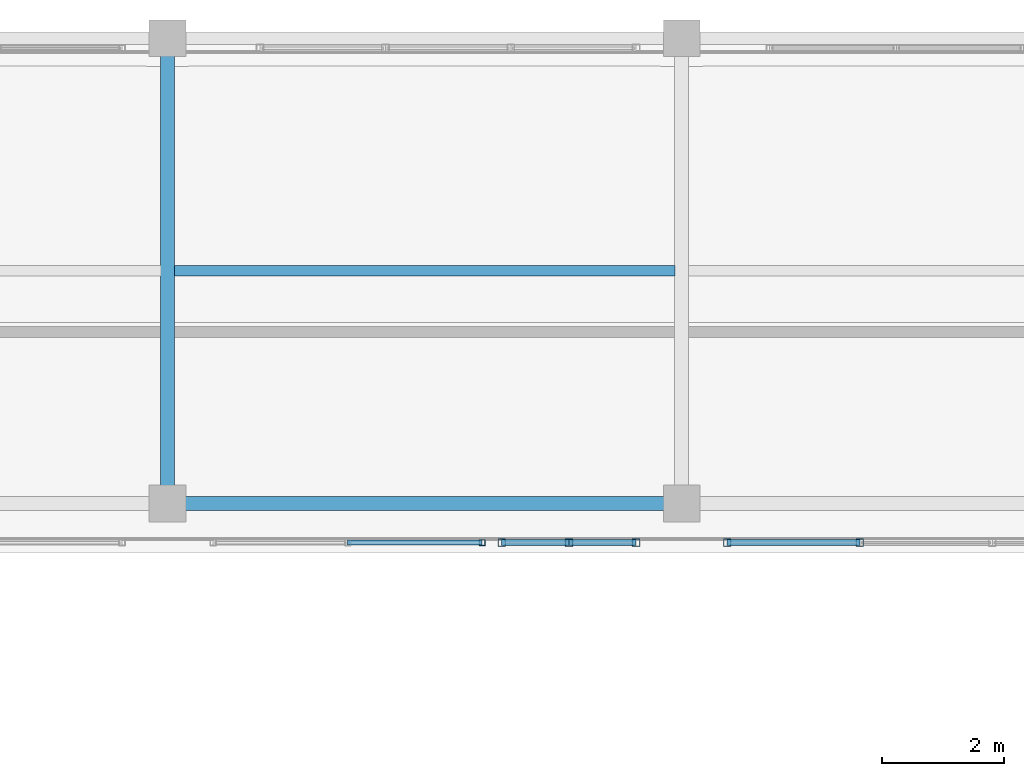
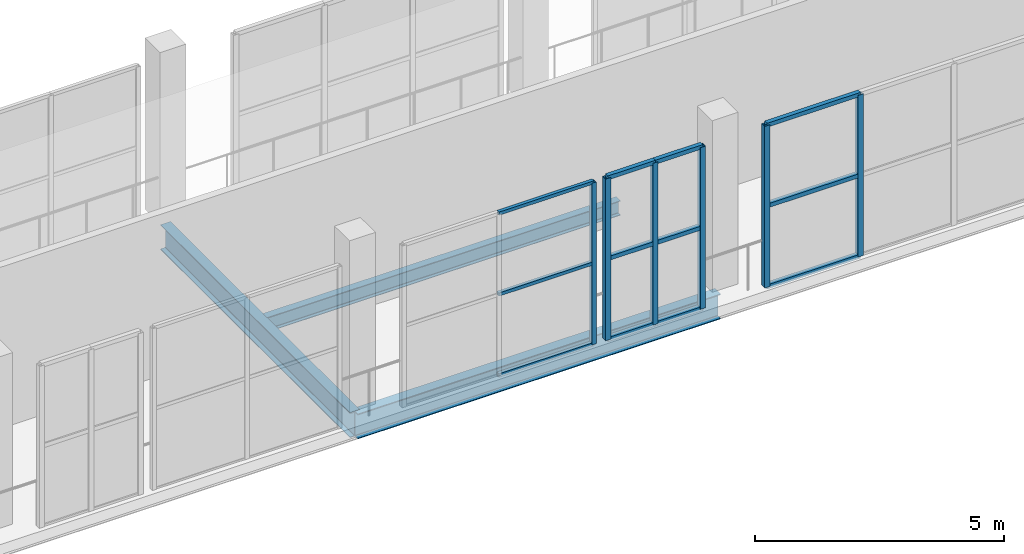
# One storey, part 69 of 151: 18 members, 3 beams, 3 elements without a shape of their own.
"""IFC4 building model written with IfcOpenShell, lengths in metres."""

from ifc_helpers import new_model, si_unit, direction, frame, origin, origin_2d, place, context, subcontext, project, spatial, hollow_rectangle, i_section, extrude, material, material_profile, profile_set, type_object, element, aggregate, save


model = new_model("IFC4")

# Units and contexts
model_context = context("Model", 3, precision=1e-05, world=origin(), true_north=direction((0.0, 1.0)))
body_context = subcontext(model_context, "Body", "Model", "MODEL_VIEW")
ifc_project = project(units=[si_unit("LENGTHUNIT", "METRE"), si_unit("AREAUNIT", "SQUARE_METRE"), si_unit("VOLUMEUNIT", "CUBIC_METRE"), si_unit("PLANEANGLEUNIT", "RADIAN"), si_unit("MASSUNIT", "GRAM", prefix="KILO")], contexts=[model_context])

# Site, building, storey
site_placement = place(None, origin())
site = spatial("IfcSite", under=ifc_project, at=site_placement, CompositionType="ELEMENT")
building_placement = place(site_placement, origin())
building = spatial("IfcBuilding", under=site, at=building_placement, Name="Zuvorla Pavilion Media Centre", CompositionType="ELEMENT")
storey_placement = place(building_placement, frame((0.0, 0.0, 13.800048828125)))
storey = spatial("IfcBuildingStorey", under=building, at=storey_placement, Name="L03", CompositionType="ELEMENT", Elevation=13.800048828125)

# Beams
ifc_material_1 = material(Name="Steel S355", Category="steel")
ifc_material_profile_1 = material_profile(ifc_material_1, i_section(OverallWidth=0.172119140625, OverallDepth=0.35791015625, WebThickness=0.008056640625, FlangeThickness=0.012939453125, FilletRadius=0.01025390625, at=origin_2d()), Name="UB 356x171x57")
ifc_profile_set_1 = profile_set([ifc_material_profile_1], Name="Steel S355")
beam_type_1 = type_object("IfcBeamType", Name="BM-UB356", PredefinedType="JOIST", material=ifc_profile_set_1)
beam_1_placement = place(storey_placement, frame((75.3095703125, 85.800048828125, -0.43701171875), z_axis=(1.0, 0.0, 0.0), x_axis=(0.0, 1.0, 0.0)))
element("IfcBeam", 1, at=beam_1_placement, inside=storey, type_object=beam_type_1, Name="L03 joist J03 1264", PredefinedType="JOIST", context=body_context, shape_type="SweptSolid", body=[
    extrude(i_section(OverallWidth=0.172119140625, OverallDepth=0.35791015625, WebThickness=0.008056640625, FlangeThickness=0.012939453125, FilletRadius=0.01025390625, at=origin_2d()), origin(), (0.0, 0.0, 1.0), 8.180908203125),
])
ifc_material_profile_2 = material_profile(ifc_material_1, i_section(OverallWidth=0.22900390625, OverallDepth=0.6123046875, WebThickness=0.011962890625, FlangeThickness=0.01953125, FilletRadius=0.0126953125, at=origin_2d()), Name="UB 610x229x125")
ifc_profile_set_2 = profile_set([ifc_material_profile_2], Name="Steel S355")
beam_type_2 = type_object("IfcBeamType", Name="BM-UB610", PredefinedType="BEAM", material=ifc_profile_set_2)
beam_2_placement = place(storey_placement, frame((75.199951171875, 82.0, -0.564208984375), z_axis=(1.0, 0.0, 0.0), x_axis=(0.0, 1.0, 0.0)))
element("IfcBeam", 2, at=beam_2_placement, inside=storey, type_object=beam_type_2, Name="L03 beam B07 1122", PredefinedType="BEAM", context=body_context, shape_type="SweptSolid", body=[
    extrude(i_section(OverallWidth=0.22900390625, OverallDepth=0.6123046875, WebThickness=0.011962890625, FlangeThickness=0.01953125, FilletRadius=0.0126953125, at=origin_2d()), origin(), (0.0, 0.0, 1.0), 8.400146484375),
])
beam_3_placement = place(storey_placement, frame((75.199951171875, 82.0, -0.564208984375), z_axis=(0.0, 1.0, 0.0), x_axis=(-1.0, 0.0, 0.0)))
element("IfcBeam", 3, at=beam_3_placement, inside=storey, type_object=beam_type_2, Name="L03 beam B07 1189", PredefinedType="BEAM", context=body_context, shape_type="SweptSolid", body=[
    extrude(i_section(OverallWidth=0.22900390625, OverallDepth=0.6123046875, WebThickness=0.011962890625, FlangeThickness=0.01953125, FilletRadius=0.0126953125, at=origin_2d()), origin(), (0.0, 0.0, 1.0), 7.60009765625),
])

# Curtain wall, member
ifc_material_2 = material(Name="Unitised anodised aluminium and solar glass curtain wall", Category="aluminium")
curtain_wall_type_1 = type_object("IfcCurtainWallType", Name="CW-SYS-79", PredefinedType="USERDEFINED", material=ifc_material_2)
curtain_wall_1_placement = place(storey_placement, origin())
curtain_wall_1 = element("IfcCurtainWall", 4, at=curtain_wall_1_placement, inside=storey, type_object=curtain_wall_type_1, Name="L03 curtain wall CW79 162", ObjectType="CURTAIN WALL", PredefinedType="USERDEFINED")
ifc_material_3 = material(Name="Anodised aluminium 6063-T6", Category="aluminium")
ifc_material_profile_3 = material_profile(ifc_material_3, hollow_rectangle(XDim=0.10009765625, YDim=0.10009765625, WallThickness=0.00439453125, at=origin_2d()), Name="ALU MULL 100x100")
ifc_profile_set_3 = profile_set([ifc_material_profile_3], Name="Anodised aluminium 6063-T6")
member_type_1 = type_object("IfcMemberType", Name="CW-MULL-100", PredefinedType="MULLION", material=ifc_profile_set_3)
member_1_placement = place(storey_placement, frame((80.340087890625, 81.360107421875, 0.0), z_axis=(0.0, 0.0, 1.0), x_axis=(1.0, 0.0, 0.0)))
member_1 = element("IfcMember", 5, at=member_1_placement, type_object=member_type_1, Name="CW79 mullion 1", PredefinedType="MULLION", context=body_context, shape_type="SweptSolid", body=[
    extrude(hollow_rectangle(XDim=0.10009765625, YDim=0.10009765625, WallThickness=0.00439453125, at=origin_2d()), origin(), (0.0, 0.0, 1.0), 3.9599609375),
])

# Curtain wall, members
curtain_wall_type_2 = type_object("IfcCurtainWallType", Name="CW-SYS-81", PredefinedType="USERDEFINED", material=ifc_material_2)
curtain_wall_2_placement = place(storey_placement, origin())
curtain_wall_2 = element("IfcCurtainWall", 6, at=curtain_wall_2_placement, inside=storey, type_object=curtain_wall_type_2, Name="L03 curtain wall CW81 166", ObjectType="CURTAIN WALL", PredefinedType="USERDEFINED")
ifc_material_profile_4 = material_profile(ifc_material_3, hollow_rectangle(XDim=0.1201171875, YDim=0.1201171875, WallThickness=0.0048828125, at=origin_2d()), Name="ALU MULL 120x120")
ifc_profile_set_4 = profile_set([ifc_material_profile_4], Name="Anodised aluminium 6063-T6")
member_type_2 = type_object("IfcMemberType", Name="CW-MULL-120", PredefinedType="MULLION", material=ifc_profile_set_4)
member_2_placement = place(storey_placement, frame((86.509521484375, 81.360107421875, 0.0), z_axis=(0.0, 0.0, 1.0), x_axis=(1.0, 0.0, 0.0)))
member_2 = element("IfcMember", 7, at=member_2_placement, type_object=member_type_2, Name="CW81 mullion 3", PredefinedType="MULLION", context=body_context, shape_type="SweptSolid", body=[
    extrude(hollow_rectangle(XDim=0.1201171875, YDim=0.1201171875, WallThickness=0.0048828125, at=origin_2d()), origin(), (0.0, 0.0, 1.0), 3.9599609375),
])
member_3_placement = place(storey_placement, frame((84.34423828125, 81.360107421875, 0.0), z_axis=(0.0, 0.0, 1.0), x_axis=(1.0, 0.0, 0.0)))
member_3 = element("IfcMember", 8, at=member_3_placement, type_object=member_type_2, Name="CW81 mullion 4", PredefinedType="MULLION", context=body_context, shape_type="SweptSolid", body=[
    extrude(hollow_rectangle(XDim=0.1201171875, YDim=0.1201171875, WallThickness=0.0048828125, at=origin_2d()), origin(), (0.0, 0.0, 1.0), 3.9599609375),
])

curtain_wall_type_3 = type_object("IfcCurtainWallType", Name="CW-SYS-37", PredefinedType="USERDEFINED", material=ifc_material_2)
curtain_wall_3_placement = place(storey_placement, origin())
curtain_wall_3 = element("IfcCurtainWall", 9, at=curtain_wall_3_placement, inside=storey, type_object=curtain_wall_type_3, Name="L03 curtain wall CW37 167", ObjectType="CURTAIN WALL", PredefinedType="USERDEFINED")
member_4_placement = place(storey_placement, frame((82.855712890625, 81.360107421875, 0.0), z_axis=(0.0, 0.0, 1.0), x_axis=(1.0, 0.0, 0.0)))
member_4 = element("IfcMember", 10, at=member_4_placement, type_object=member_type_2, Name="CW37 mullion 1", PredefinedType="MULLION", context=body_context, shape_type="SweptSolid", body=[
    extrude(hollow_rectangle(XDim=0.1201171875, YDim=0.1201171875, WallThickness=0.0048828125, at=origin_2d()), origin(), (0.0, 0.0, 1.0), 3.9599609375),
])
member_5_placement = place(storey_placement, frame((81.7578125, 81.360107421875, 0.0), z_axis=(0.0, 0.0, 1.0), x_axis=(1.0, 0.0, 0.0)))
member_5 = element("IfcMember", 11, at=member_5_placement, type_object=member_type_2, Name="CW37 mullion 2", PredefinedType="MULLION", context=body_context, shape_type="SweptSolid", body=[
    extrude(hollow_rectangle(XDim=0.1201171875, YDim=0.1201171875, WallThickness=0.0048828125, at=origin_2d()), origin(), (0.0, 0.0, 1.0), 3.9599609375),
])
member_6_placement = place(storey_placement, frame((80.659912109375, 81.360107421875, 0.0), z_axis=(0.0, 0.0, 1.0), x_axis=(1.0, 0.0, 0.0)))
member_6 = element("IfcMember", 12, at=member_6_placement, type_object=member_type_2, Name="CW37 mullion 3", PredefinedType="MULLION", context=body_context, shape_type="SweptSolid", body=[
    extrude(hollow_rectangle(XDim=0.1201171875, YDim=0.1201171875, WallThickness=0.0048828125, at=origin_2d()), origin(), (0.0, 0.0, 1.0), 3.9599609375),
])

# Member
ifc_material_profile_5 = material_profile(ifc_material_3, hollow_rectangle(XDim=0.10009765625, YDim=0.10009765625, WallThickness=0.00439453125, at=origin_2d()), Name="ALU TRAN 100x100")
ifc_profile_set_5 = profile_set([ifc_material_profile_5], Name="Anodised aluminium 6063-T6")
member_type_3 = type_object("IfcMemberType", Name="CW-TRAN-100", PredefinedType="USERDEFINED", material=ifc_profile_set_5)
member_7_placement = place(storey_placement, frame((86.509521484375, 81.360107421875, 0.0), z_axis=(-1.0, 0.0, 0.0), x_axis=(0.0, -1.0, 0.0)))
member_7 = element("IfcMember", 13, at=member_7_placement, type_object=member_type_3, Name="CW81 transom 3.1", ObjectType="TRANSOM", PredefinedType="USERDEFINED", context=body_context, shape_type="SweptSolid", body=[
    extrude(hollow_rectangle(XDim=0.10009765625, YDim=0.10009765625, WallThickness=0.00439453125, at=origin_2d()), origin(), (0.0, 0.0, 1.0), 2.165283203125),
])

member_8_placement = place(storey_placement, frame((86.509521484375, 81.360107421875, 1.97998046875), z_axis=(-1.0, 0.0, 0.0), x_axis=(0.0, -1.0, 0.0)))
member_8 = element("IfcMember", 14, at=member_8_placement, type_object=member_type_3, Name="CW81 transom 3.2", ObjectType="TRANSOM", PredefinedType="USERDEFINED", context=body_context, shape_type="SweptSolid", body=[
    extrude(hollow_rectangle(XDim=0.10009765625, YDim=0.10009765625, WallThickness=0.00439453125, at=origin_2d()), origin(), (0.0, 0.0, 1.0), 2.165283203125),
])

member_9_placement = place(storey_placement, frame((86.509521484375, 81.360107421875, 3.9599609375), z_axis=(-1.0, 0.0, 0.0), x_axis=(0.0, -1.0, 0.0)))
member_9 = element("IfcMember", 15, at=member_9_placement, type_object=member_type_3, Name="CW81 transom 3.3", ObjectType="TRANSOM", PredefinedType="USERDEFINED", context=body_context, shape_type="SweptSolid", body=[
    extrude(hollow_rectangle(XDim=0.10009765625, YDim=0.10009765625, WallThickness=0.00439453125, at=origin_2d()), origin(), (0.0, 0.0, 1.0), 2.165283203125),
])

aggregate(curtain_wall_2, [member_2, member_3, member_7, member_8, member_9])

member_10_placement = place(storey_placement, frame((82.855712890625, 81.360107421875, 0.0), z_axis=(-1.0, 0.0, 0.0), x_axis=(0.0, -1.0, 0.0)))
member_10 = element("IfcMember", 16, at=member_10_placement, type_object=member_type_3, Name="CW37 transom 1.1", ObjectType="TRANSOM", PredefinedType="USERDEFINED", context=body_context, shape_type="SweptSolid", body=[
    extrude(hollow_rectangle(XDim=0.10009765625, YDim=0.10009765625, WallThickness=0.00439453125, at=origin_2d()), origin(), (0.0, 0.0, 1.0), 1.097900390625),
])

member_11_placement = place(storey_placement, frame((82.855712890625, 81.360107421875, 1.97998046875), z_axis=(-1.0, 0.0, 0.0), x_axis=(0.0, -1.0, 0.0)))
member_11 = element("IfcMember", 17, at=member_11_placement, type_object=member_type_3, Name="CW37 transom 1.2", ObjectType="TRANSOM", PredefinedType="USERDEFINED", context=body_context, shape_type="SweptSolid", body=[
    extrude(hollow_rectangle(XDim=0.10009765625, YDim=0.10009765625, WallThickness=0.00439453125, at=origin_2d()), origin(), (0.0, 0.0, 1.0), 1.097900390625),
])

member_12_placement = place(storey_placement, frame((82.855712890625, 81.360107421875, 3.9599609375), z_axis=(-1.0, 0.0, 0.0), x_axis=(0.0, -1.0, 0.0)))
member_12 = element("IfcMember", 18, at=member_12_placement, type_object=member_type_3, Name="CW37 transom 1.3", ObjectType="TRANSOM", PredefinedType="USERDEFINED", context=body_context, shape_type="SweptSolid", body=[
    extrude(hollow_rectangle(XDim=0.10009765625, YDim=0.10009765625, WallThickness=0.00439453125, at=origin_2d()), origin(), (0.0, 0.0, 1.0), 1.097900390625),
])

member_13_placement = place(storey_placement, frame((81.7578125, 81.360107421875, 0.0), z_axis=(-1.0, 0.0, 0.0), x_axis=(0.0, -1.0, 0.0)))
member_13 = element("IfcMember", 19, at=member_13_placement, type_object=member_type_3, Name="CW37 transom 2.1", ObjectType="TRANSOM", PredefinedType="USERDEFINED", context=body_context, shape_type="SweptSolid", body=[
    extrude(hollow_rectangle(XDim=0.10009765625, YDim=0.10009765625, WallThickness=0.00439453125, at=origin_2d()), origin(), (0.0, 0.0, 1.0), 1.097900390625),
])

member_14_placement = place(storey_placement, frame((81.7578125, 81.360107421875, 1.97998046875), z_axis=(-1.0, 0.0, 0.0), x_axis=(0.0, -1.0, 0.0)))
member_14 = element("IfcMember", 20, at=member_14_placement, type_object=member_type_3, Name="CW37 transom 2.2", ObjectType="TRANSOM", PredefinedType="USERDEFINED", context=body_context, shape_type="SweptSolid", body=[
    extrude(hollow_rectangle(XDim=0.10009765625, YDim=0.10009765625, WallThickness=0.00439453125, at=origin_2d()), origin(), (0.0, 0.0, 1.0), 1.097900390625),
])

member_15_placement = place(storey_placement, frame((81.7578125, 81.360107421875, 3.9599609375), z_axis=(-1.0, 0.0, 0.0), x_axis=(0.0, -1.0, 0.0)))
member_15 = element("IfcMember", 21, at=member_15_placement, type_object=member_type_3, Name="CW37 transom 2.3", ObjectType="TRANSOM", PredefinedType="USERDEFINED", context=body_context, shape_type="SweptSolid", body=[
    extrude(hollow_rectangle(XDim=0.10009765625, YDim=0.10009765625, WallThickness=0.00439453125, at=origin_2d()), origin(), (0.0, 0.0, 1.0), 1.097900390625),
])

aggregate(curtain_wall_3, [member_4, member_5, member_6, member_10, member_11, member_12, member_13, member_14, member_15])

ifc_material_profile_6 = material_profile(ifc_material_3, hollow_rectangle(XDim=0.080078125, YDim=0.080078125, WallThickness=0.00390625, at=origin_2d()), Name="ALU TRAN 80x80")
ifc_profile_set_6 = profile_set([ifc_material_profile_6], Name="Anodised aluminium 6063-T6")
member_type_4 = type_object("IfcMemberType", Name="CW-TRAN-80", PredefinedType="USERDEFINED", material=ifc_profile_set_6)
member_16_placement = place(storey_placement, frame((80.340087890625, 81.360107421875, 0.0), z_axis=(-1.0, 0.0, 0.0), x_axis=(0.0, -1.0, 0.0)))
member_16 = element("IfcMember", 22, at=member_16_placement, type_object=member_type_4, Name="CW79 transom 1.1", ObjectType="TRANSOM", PredefinedType="USERDEFINED", context=body_context, shape_type="SweptSolid", body=[
    extrude(hollow_rectangle(XDim=0.080078125, YDim=0.080078125, WallThickness=0.00390625, at=origin_2d()), origin(), (0.0, 0.0, 1.0), 2.197998046875),
])

member_17_placement = place(storey_placement, frame((80.340087890625, 81.360107421875, 1.97998046875), z_axis=(-1.0, 0.0, 0.0), x_axis=(0.0, -1.0, 0.0)))
member_17 = element("IfcMember", 23, at=member_17_placement, type_object=member_type_4, Name="CW79 transom 1.2", ObjectType="TRANSOM", PredefinedType="USERDEFINED", context=body_context, shape_type="SweptSolid", body=[
    extrude(hollow_rectangle(XDim=0.080078125, YDim=0.080078125, WallThickness=0.00390625, at=origin_2d()), origin(), (0.0, 0.0, 1.0), 2.197998046875),
])

member_18_placement = place(storey_placement, frame((80.340087890625, 81.360107421875, 3.9599609375), z_axis=(-1.0, 0.0, 0.0), x_axis=(0.0, -1.0, 0.0)))
member_18 = element("IfcMember", 24, at=member_18_placement, type_object=member_type_4, Name="CW79 transom 1.3", ObjectType="TRANSOM", PredefinedType="USERDEFINED", context=body_context, shape_type="SweptSolid", body=[
    extrude(hollow_rectangle(XDim=0.080078125, YDim=0.080078125, WallThickness=0.00390625, at=origin_2d()), origin(), (0.0, 0.0, 1.0), 2.197998046875),
])

aggregate(curtain_wall_1, [member_1, member_16, member_17, member_18])

save(model, "model.ifc")
